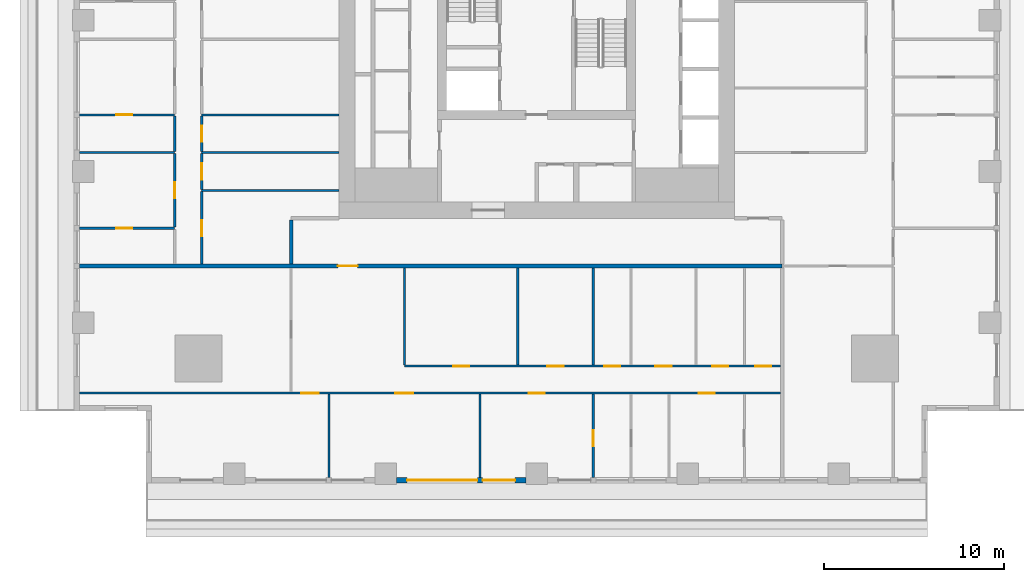
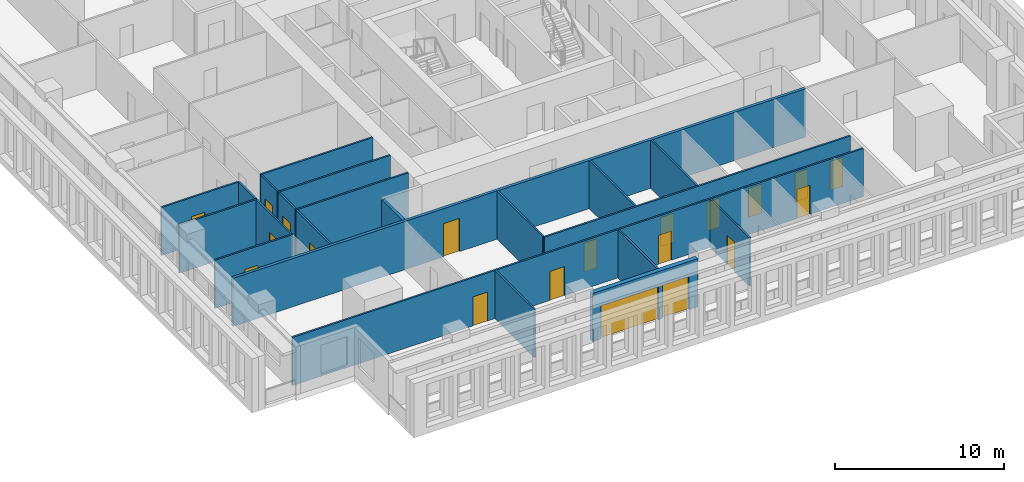
# One storey, part 2 of 16: 22 walls, 20 doors, 20 openings.
"""IFC4 building model written with IfcOpenShell, lengths in metres."""

from ifc_helpers import new_model, si_unit, direction, frame, frame_2d, origin, place, context, subcontext, project, spatial, rectangle, extrude, material, layer, layer_set, type_object, element, fill, save


model = new_model("IFC4")

# Units and contexts
model_context = context("Model", 3, precision=1e-05, world=origin(), true_north=direction((0.0, 1.0)))
body_context = subcontext(model_context, "Body", "Model", "MODEL_VIEW")
ifc_project = project(units=[si_unit("LENGTHUNIT", "METRE"), si_unit("AREAUNIT", "SQUARE_METRE"), si_unit("VOLUMEUNIT", "CUBIC_METRE"), si_unit("PLANEANGLEUNIT", "RADIAN"), si_unit("MASSUNIT", "GRAM", prefix="KILO")], contexts=[model_context])

# Site, building, storey
site_placement = place(None, origin())
site = spatial("IfcSite", under=ifc_project, at=site_placement, CompositionType="ELEMENT")
building_placement = place(site_placement, origin())
building = spatial("IfcBuilding", under=site, at=building_placement, Name="Khepri Terraces", CompositionType="ELEMENT")
storey_placement = place(building_placement, frame((0.0, 0.0, 149.39990234375)))
storey = spatial("IfcBuildingStorey", under=building, at=storey_placement, Name="L35", CompositionType="ELEMENT", Elevation=149.39990234375)

# Wall, opening, door
ifc_material_1 = material(Name="Fire-rated gypsum plasterboard partition, mineral wool")
ifc_layer_1 = layer(ifc_material_1, 0.199951171875, Name="Fire-rated gypsum plasterboard partition, mineral wool")
ifc_layer_set_1 = layer_set([ifc_layer_1], Name="Fire-rated gypsum plasterboard partition, mineral wool")
wall_type_1 = type_object("IfcWallType", Name="WL-CORR-200", PredefinedType="PARTITIONING", material=ifc_layer_set_1)
wall_1_placement = place(storey_placement, frame((-25.419921875, -13.64990234375, 0.0), z_axis=(0.0, 0.0, 1.0), x_axis=(1.0, 0.0, 0.0)))
wall_1 = element("IfcWall", 1, at=wall_1_placement, inside=storey, type_object=wall_type_1, Name="Partition P-019 L35", PredefinedType="PARTITIONING", context=body_context, shape_type="SweptSolid", body=[
    extrude(rectangle(XDim=39.06982421875, YDim=0.199951171875, at=frame_2d((19.534912109375, 0.0))), origin(), (0.0, 0.0, 1.0), 3.47998046875),
])
opening_1_placement = place(wall_1_placement, frame((14.3701171875, 0.0, 0.0)))
opening_1 = element("IfcOpeningElement", 2, at=opening_1_placement, cuts=wall_1, Name="Opening D1", PredefinedType="OPENING", context=body_context, shape_type="SweptSolid", body=[
    extrude(rectangle(XDim=1.10009765625, YDim=2.39990234375, at=frame_2d((0.550048828125, 1.199951171875))), frame((0.0, 0.10986328125, 0.0), z_axis=(0.0, -1.0, 0.0), x_axis=(1.0, 0.0, 0.0)), (0.0, 0.0, 1.0), 0.219970703125),
])
ifc_material_2 = material(Name="Solid-core timber door leaf, flat entrance door", Category="wood")
door_type_1 = type_object("IfcDoorType", Name="DR-ENT-1100", OperationType="NOTDEFINED", PredefinedType="DOOR", material=ifc_material_2)
door_1_placement = place(opening_1_placement, frame((1.10009765625, 0.0, 0.0), z_axis=(0.0, 0.0, 1.0), x_axis=(-1.0, 0.0, 0.0)))
door_1 = element("IfcDoor", 3, at=door_1_placement, inside=storey, type_object=door_type_1, Name="Flat A1 entrance door", OperationType="SINGLE_SWING_RIGHT", OverallHeight=2.39990234375, OverallWidth=1.10009765625, PredefinedType="DOOR", context=body_context, shape_type="SweptSolid", body=[
    extrude(rectangle(XDim=1.10009765625, YDim=2.39990234375, at=frame_2d((0.550048828125, 1.199951171875))), frame((0.0, 0.02490234375, 0.0), z_axis=(0.0, -1.0, 0.0), x_axis=(1.0, 0.0, 0.0)), (0.0, 0.0, 1.0), 0.050048828125),
])
fill(opening_1, door_1)

# Wall
wall_2_placement = place(storey_placement, frame((-13.64990234375, -13.550048828125, 0.0), z_axis=(0.0, 0.0, 1.0), x_axis=(0.0, 1.0, 0.0)))
element("IfcWall", 4, at=wall_2_placement, inside=storey, type_object=wall_type_1, Name="Partition P-024 L35", PredefinedType="PARTITIONING", context=body_context, shape_type="SweptSolid", body=[
    extrude(rectangle(XDim=2.449951171875, YDim=0.199951171875, at=frame_2d((1.22509765625, 0.0))), origin(), (0.0, 0.0, 1.0), 3.47998046875),
])

# Wall, openings, doors
ifc_material_3 = material(Name="Precast concrete C50/60 warm stone", Category="masonry")
ifc_layer_2 = layer(ifc_material_3, 0.300048828125, Name="Precast concrete C50/60 warm stone", Category="masonry")
ifc_layer_set_2 = layer_set([ifc_layer_2], Name="Precast concrete C50/60 warm stone")
wall_type_2 = type_object("IfcWallType", Name="WL-EXT-PRECAST-300", PredefinedType="STANDARD", material=ifc_layer_set_2)
wall_3_placement = place(storey_placement, frame((-7.800048828125, -25.570068359375, 0.0), z_axis=(0.0, 0.0, 1.0), x_axis=(1.0, 0.0, 0.0)))
wall_3 = element("IfcWall", 5, at=wall_3_placement, inside=storey, type_object=wall_type_2, Name="External wall L35 S", PredefinedType="STANDARD", context=body_context, shape_type="SweptSolid", body=[
    extrude(rectangle(XDim=7.199951171875, YDim=0.300048828125, at=frame_2d((3.60009765625, 0.0))), origin(), (0.0, 0.0, 1.0), 3.47998046875),
])
opening_2_placement = place(wall_3_placement, frame((0.60009765625, 0.0, 0.0)))
opening_2 = element("IfcOpeningElement", 6, at=opening_2_placement, cuts=wall_3, Name="Opening ED-L35-18", PredefinedType="OPENING", context=body_context, shape_type="SweptSolid", body=[
    extrude(rectangle(XDim=3.89990234375, YDim=2.39990234375, at=frame_2d((1.949951171875, 1.199951171875))), frame((0.0, 0.16015625, 0.0), z_axis=(0.0, -1.0, 0.0), x_axis=(1.0, 0.0, 0.0)), (0.0, 0.0, 1.0), 0.320068359375),
])
opening_3_placement = place(wall_3_placement, frame((4.800048828125, 0.0, 0.0)))
opening_3 = element("IfcOpeningElement", 7, at=opening_3_placement, cuts=wall_3, Name="Opening ED-L35-19", PredefinedType="OPENING", context=body_context, shape_type="SweptSolid", body=[
    extrude(rectangle(XDim=1.800048828125, YDim=2.39990234375, at=frame_2d((0.89990234375, 1.199951171875))), frame((0.0, 0.16015625, 0.0), z_axis=(0.0, -1.0, 0.0), x_axis=(1.0, 0.0, 0.0)), (0.0, 0.0, 1.0), 0.320068359375),
])
ifc_material_4 = material(Name="Anodised aluminium bronze glazed door", Category="aluminium")
door_type_2 = type_object("IfcDoorType", Name="DR-BAL-SLIDE-1800x2400", OperationType="NOTDEFINED", PredefinedType="DOOR", material=ifc_material_4)
door_2_placement = place(opening_3_placement, origin())
door_2 = element("IfcDoor", 8, at=door_2_placement, inside=storey, type_object=door_type_2, Name="Balcony door L35 S", OperationType="SLIDING_TO_RIGHT", OverallHeight=2.39990234375, OverallWidth=1.800048828125, PredefinedType="DOOR", context=body_context, shape_type="SweptSolid", body=[
    extrude(rectangle(XDim=1.800048828125, YDim=2.39990234375, at=frame_2d((0.89990234375, 1.199951171875))), frame((0.0, 0.02490234375, 0.0), z_axis=(0.0, -1.0, 0.0), x_axis=(1.0, 0.0, 0.0)), (0.0, 0.0, 1.0), 0.050048828125),
])
fill(opening_3, door_2)
door_type_3 = type_object("IfcDoorType", Name="DR-BAL-SLIDE-3900x2400", OperationType="NOTDEFINED", PredefinedType="DOOR", material=ifc_material_4)
door_3_placement = place(opening_2_placement, origin())
door_3 = element("IfcDoor", 9, at=door_3_placement, inside=storey, type_object=door_type_3, Name="Balcony door L35 S", OperationType="SLIDING_TO_LEFT", OverallHeight=2.39990234375, OverallWidth=3.89990234375, PredefinedType="DOOR", context=body_context, shape_type="SweptSolid", body=[
    extrude(rectangle(XDim=3.89990234375, YDim=2.39990234375, at=frame_2d((1.949951171875, 1.199951171875))), frame((0.0, 0.02490234375, 0.0), z_axis=(0.0, -1.0, 0.0), x_axis=(1.0, 0.0, 0.0)), (0.0, 0.0, 1.0), 0.050048828125),
])
fill(opening_2, door_3)

# Walls
ifc_material_5 = material(Name="Gypsum plasterboard partition")
ifc_layer_3 = layer(ifc_material_5, 0.1201171875, Name="Gypsum plasterboard partition")
ifc_layer_set_3 = layer_set([ifc_layer_3], Name="Gypsum plasterboard partition")
wall_type_3 = type_object("IfcWallType", Name="WL-PART-120", PredefinedType="PARTITIONING", material=ifc_layer_set_3)
for number, where, z_axis, x_axis, name in (
    (10, (-11.550048828125, -25.419921875, 0.0), (0.0, 0.0, 1.0), (0.0, 1.0, 0.0), "Partition P-001 L35"),
    (11, (-3.14990234375, -25.419921875, 0.0), (0.0, 0.0, 1.0), (0.0, 1.0, 0.0), "Partition P-002 L35"),
):
    element("IfcWall", number, at=place(storey_placement, frame(where, z_axis=z_axis, x_axis=x_axis)), inside=storey, type_object=wall_type_3, Name=name, PredefinedType="PARTITIONING", context=body_context, shape_type="SweptSolid", body=[
        extrude(rectangle(XDim=4.639892578125, YDim=0.1201171875, at=frame_2d((2.31982421875, 0.0))), origin(), (0.0, 0.0, 1.0), 3.47998046875),
    ])

# Wall, opening, door
wall_4_placement = place(storey_placement, frame((3.14990234375, -25.419921875, 0.0), z_axis=(0.0, 0.0, 1.0), x_axis=(0.0, 1.0, 0.0)))
wall_4 = element("IfcWall", 12, at=wall_4_placement, inside=storey, type_object=wall_type_3, Name="Partition P-003 L35", PredefinedType="PARTITIONING", context=body_context, shape_type="SweptSolid", body=[
    extrude(rectangle(XDim=4.639892578125, YDim=0.1201171875, at=frame_2d((2.31982421875, 0.0))), origin(), (0.0, 0.0, 1.0), 3.47998046875),
])
opening_4_placement = place(wall_4_placement, frame((1.75, 0.0, 0.0)))
opening_4 = element("IfcOpeningElement", 13, at=opening_4_placement, cuts=wall_4, Name="Opening D3", PredefinedType="OPENING", context=body_context, shape_type="SweptSolid", body=[
    extrude(rectangle(XDim=0.89990234375, YDim=2.10009765625, at=frame_2d((0.449951171875, 1.050048828125))), frame((0.0, 0.070068359375, 0.0), z_axis=(0.0, -1.0, 0.0), x_axis=(1.0, 0.0, 0.0)), (0.0, 0.0, 1.0), 0.14013671875),
])
ifc_material_6 = material(Name="Timber door leaf", Category="wood")
door_type_4 = type_object("IfcDoorType", Name="DR-INT-900", OperationType="NOTDEFINED", PredefinedType="DOOR", material=ifc_material_6)
door_4_placement = place(opening_4_placement, frame((0.89990234375, 0.0, 0.0), z_axis=(0.0, 0.0, 1.0), x_axis=(-1.0, 0.0, 0.0)))
door_4 = element("IfcDoor", 14, at=door_4_placement, inside=storey, type_object=door_type_4, Name="Door Dressing Room", OperationType="SINGLE_SWING_RIGHT", OverallHeight=2.10009765625, OverallWidth=0.89990234375, PredefinedType="DOOR", context=body_context, shape_type="SweptSolid", body=[
    extrude(rectangle(XDim=0.89990234375, YDim=2.10009765625, at=frame_2d((0.449951171875, 1.050048828125))), frame((0.0, 0.02490234375, 0.0), z_axis=(0.0, -1.0, 0.0), x_axis=(1.0, 0.0, 0.0)), (0.0, 0.0, 1.0), 0.050048828125),
])
fill(opening_4, door_4)

# Wall, openings, doors
wall_5_placement = place(storey_placement, frame((-25.419921875, -20.719970703125, 0.0), z_axis=(0.0, 0.0, 1.0), x_axis=(1.0, 0.0, 0.0)))
wall_5 = element("IfcWall", 15, at=wall_5_placement, inside=storey, type_object=wall_type_3, Name="Partition P-009 L35", PredefinedType="PARTITIONING", context=body_context, shape_type="SweptSolid", body=[
    extrude(rectangle(XDim=38.969970703125, YDim=0.1201171875, at=frame_2d((19.48486328125, 0.0))), origin(), (0.0, 0.0, 1.0), 3.47998046875),
])
opening_5_placement = place(wall_5_placement, frame((12.320068359375, 0.0, 0.0)))
opening_5 = element("IfcOpeningElement", 16, at=opening_5_placement, cuts=wall_5, Name="Opening D2", PredefinedType="OPENING", context=body_context, shape_type="SweptSolid", body=[
    extrude(rectangle(XDim=1.0, YDim=2.10009765625, at=frame_2d((0.5, 1.050048828125))), frame((0.0, 0.070068359375, 0.0), z_axis=(0.0, -1.0, 0.0), x_axis=(1.0, 0.0, 0.0)), (0.0, 0.0, 1.0), 0.14013671875),
])
opening_6_placement = place(wall_5_placement, frame((17.570068359375, 0.0, 0.0)))
opening_6 = element("IfcOpeningElement", 17, at=opening_6_placement, cuts=wall_5, Name="Opening D2", PredefinedType="OPENING", context=body_context, shape_type="SweptSolid", body=[
    extrude(rectangle(XDim=1.0, YDim=2.10009765625, at=frame_2d((0.5, 1.050048828125))), frame((0.0, 0.070068359375, 0.0), z_axis=(0.0, -1.0, 0.0), x_axis=(1.0, 0.0, 0.0)), (0.0, 0.0, 1.0), 0.14013671875),
])
opening_7_placement = place(wall_5_placement, frame((24.969970703125, 0.0, 0.0)))
opening_7 = element("IfcOpeningElement", 18, at=opening_7_placement, cuts=wall_5, Name="Opening D3", PredefinedType="OPENING", context=body_context, shape_type="SweptSolid", body=[
    extrude(rectangle(XDim=0.89990234375, YDim=2.10009765625, at=frame_2d((0.449951171875, 1.050048828125))), frame((0.0, 0.070068359375, 0.0), z_axis=(0.0, -1.0, 0.0), x_axis=(1.0, 0.0, 0.0)), (0.0, 0.0, 1.0), 0.14013671875),
])
opening_8_placement = place(wall_5_placement, frame((34.419921875, 0.0, 0.0)))
opening_8 = element("IfcOpeningElement", 19, at=opening_8_placement, cuts=wall_5, Name="Opening D3", PredefinedType="OPENING", context=body_context, shape_type="SweptSolid", body=[
    extrude(rectangle(XDim=0.89990234375, YDim=2.10009765625, at=frame_2d((0.449951171875, 1.050048828125))), frame((0.0, 0.070068359375, 0.0), z_axis=(0.0, -1.0, 0.0), x_axis=(1.0, 0.0, 0.0)), (0.0, 0.0, 1.0), 0.14013671875),
])
ifc_material_7 = material(Name="Timber door leaf, living room door", Category="wood")
door_type_5 = type_object("IfcDoorType", Name="DR-INT-1000", OperationType="NOTDEFINED", PredefinedType="DOOR", material=ifc_material_7)
door_5_placement = place(opening_5_placement, frame((1.0, 0.0, 0.0), z_axis=(0.0, 0.0, 1.0), x_axis=(-1.0, 0.0, 0.0)))
door_5 = element("IfcDoor", 20, at=door_5_placement, inside=storey, type_object=door_type_5, Name="Door Sun Lounge", OperationType="SINGLE_SWING_RIGHT", OverallHeight=2.10009765625, OverallWidth=1.0, PredefinedType="DOOR", context=body_context, shape_type="SweptSolid", body=[
    extrude(rectangle(XDim=1.0, YDim=2.10009765625, at=frame_2d((0.5, 1.050048828125))), frame((0.0, 0.02490234375, 0.0), z_axis=(0.0, -1.0, 0.0), x_axis=(1.0, 0.0, 0.0)), (0.0, 0.0, 1.0), 0.050048828125),
])
fill(opening_5, door_5)
door_6_placement = place(opening_6_placement, frame((1.0, 0.0, 0.0), z_axis=(0.0, 0.0, 1.0), x_axis=(-1.0, 0.0, 0.0)))
door_6 = element("IfcDoor", 21, at=door_6_placement, inside=storey, type_object=door_type_5, Name="Door Living Room", OperationType="SINGLE_SWING_RIGHT", OverallHeight=2.10009765625, OverallWidth=1.0, PredefinedType="DOOR", context=body_context, shape_type="SweptSolid", body=[
    extrude(rectangle(XDim=1.0, YDim=2.10009765625, at=frame_2d((0.5, 1.050048828125))), frame((0.0, 0.02490234375, 0.0), z_axis=(0.0, -1.0, 0.0), x_axis=(1.0, 0.0, 0.0)), (0.0, 0.0, 1.0), 0.050048828125),
])
fill(opening_6, door_6)
door_7_placement = place(opening_7_placement, frame((0.89990234375, 0.0, 0.0), z_axis=(0.0, 0.0, 1.0), x_axis=(-1.0, 0.0, 0.0)))
door_7 = element("IfcDoor", 22, at=door_7_placement, inside=storey, type_object=door_type_4, Name="Door Master Bedroom", OperationType="SINGLE_SWING_LEFT", OverallHeight=2.10009765625, OverallWidth=0.89990234375, PredefinedType="DOOR", context=body_context, shape_type="SweptSolid", body=[
    extrude(rectangle(XDim=0.89990234375, YDim=2.10009765625, at=frame_2d((0.449951171875, 1.050048828125))), frame((0.0, 0.02490234375, 0.0), z_axis=(0.0, -1.0, 0.0), x_axis=(1.0, 0.0, 0.0)), (0.0, 0.0, 1.0), 0.050048828125),
])
fill(opening_7, door_7)
door_8_placement = place(opening_8_placement, frame((0.89990234375, 0.0, 0.0), z_axis=(0.0, 0.0, 1.0), x_axis=(-1.0, 0.0, 0.0)))
door_8 = element("IfcDoor", 23, at=door_8_placement, inside=storey, type_object=door_type_4, Name="Door Bedroom", OperationType="SINGLE_SWING_LEFT", OverallHeight=2.10009765625, OverallWidth=0.89990234375, PredefinedType="DOOR", context=body_context, shape_type="SweptSolid", body=[
    extrude(rectangle(XDim=0.89990234375, YDim=2.10009765625, at=frame_2d((0.449951171875, 1.050048828125))), frame((0.0, 0.02490234375, 0.0), z_axis=(0.0, -1.0, 0.0), x_axis=(1.0, 0.0, 0.0)), (0.0, 0.0, 1.0), 0.050048828125),
])
fill(opening_8, door_8)

wall_6_placement = place(storey_placement, frame((-7.35009765625, -19.219970703125, 0.0), z_axis=(0.0, 0.0, 1.0), x_axis=(1.0, 0.0, 0.0)))
wall_6 = element("IfcWall", 24, at=wall_6_placement, inside=storey, type_object=wall_type_3, Name="Partition P-011 L35", PredefinedType="PARTITIONING", context=body_context, shape_type="SweptSolid", body=[
    extrude(rectangle(XDim=20.900146484375, YDim=0.1201171875, at=frame_2d((10.4501953125, 0.0))), origin(), (0.0, 0.0, 1.0), 3.47998046875),
])
opening_9_placement = place(wall_6_placement, frame((2.699951171875, 0.0, 0.0)))
opening_9 = element("IfcOpeningElement", 25, at=opening_9_placement, cuts=wall_6, Name="Opening D3", PredefinedType="OPENING", context=body_context, shape_type="SweptSolid", body=[
    extrude(rectangle(XDim=0.89990234375, YDim=2.10009765625, at=frame_2d((0.449951171875, 1.050048828125))), frame((0.0, 0.070068359375, 0.0), z_axis=(0.0, -1.0, 0.0), x_axis=(1.0, 0.0, 0.0)), (0.0, 0.0, 1.0), 0.14013671875),
])
opening_10_placement = place(wall_6_placement, frame((7.949951171875, 0.0, 0.0)))
opening_10 = element("IfcOpeningElement", 26, at=opening_10_placement, cuts=wall_6, Name="Opening D3", PredefinedType="OPENING", context=body_context, shape_type="SweptSolid", body=[
    extrude(rectangle(XDim=0.89990234375, YDim=2.10009765625, at=frame_2d((0.449951171875, 1.050048828125))), frame((0.0, 0.070068359375, 0.0), z_axis=(0.0, -1.0, 0.0), x_axis=(1.0, 0.0, 0.0)), (0.0, 0.0, 1.0), 0.14013671875),
])
opening_11_placement = place(wall_6_placement, frame((11.10009765625, 0.0, 0.0)))
opening_11 = element("IfcOpeningElement", 27, at=opening_11_placement, cuts=wall_6, Name="Opening D4", PredefinedType="OPENING", context=body_context, shape_type="SweptSolid", body=[
    extrude(rectangle(XDim=0.89990234375, YDim=2.10009765625, at=frame_2d((0.449951171875, 1.050048828125))), frame((0.0, 0.070068359375, 0.0), z_axis=(0.0, -1.0, 0.0), x_axis=(1.0, 0.0, 0.0)), (0.0, 0.0, 1.0), 0.14013671875),
])
opening_12_placement = place(wall_6_placement, frame((13.949951171875, 0.0, 0.0)))
opening_12 = element("IfcOpeningElement", 28, at=opening_12_placement, cuts=wall_6, Name="Opening D3", PredefinedType="OPENING", context=body_context, shape_type="SweptSolid", body=[
    extrude(rectangle(XDim=0.89990234375, YDim=2.10009765625, at=frame_2d((0.449951171875, 1.050048828125))), frame((0.0, 0.070068359375, 0.0), z_axis=(0.0, -1.0, 0.0), x_axis=(1.0, 0.0, 0.0)), (0.0, 0.0, 1.0), 0.14013671875),
])
opening_13_placement = place(wall_6_placement, frame((17.10009765625, 0.0, 0.0)))
opening_13 = element("IfcOpeningElement", 29, at=opening_13_placement, cuts=wall_6, Name="Opening D4", PredefinedType="OPENING", context=body_context, shape_type="SweptSolid", body=[
    extrude(rectangle(XDim=0.89990234375, YDim=2.10009765625, at=frame_2d((0.449951171875, 1.050048828125))), frame((0.0, 0.070068359375, 0.0), z_axis=(0.0, -1.0, 0.0), x_axis=(1.0, 0.0, 0.0)), (0.0, 0.0, 1.0), 0.14013671875),
])
opening_14_placement = place(wall_6_placement, frame((19.5, 0.0, 0.0)))
opening_14 = element("IfcOpeningElement", 30, at=opening_14_placement, cuts=wall_6, Name="Opening D3", PredefinedType="OPENING", context=body_context, shape_type="SweptSolid", body=[
    extrude(rectangle(XDim=0.89990234375, YDim=2.10009765625, at=frame_2d((0.449951171875, 1.050048828125))), frame((0.0, 0.070068359375, 0.0), z_axis=(0.0, -1.0, 0.0), x_axis=(1.0, 0.0, 0.0)), (0.0, 0.0, 1.0), 0.14013671875),
])
door_9_placement = place(opening_9_placement, origin())
door_9 = element("IfcDoor", 31, at=door_9_placement, inside=storey, type_object=door_type_4, Name="Door Kitchen", OperationType="SINGLE_SWING_LEFT", OverallHeight=2.10009765625, OverallWidth=0.89990234375, PredefinedType="DOOR", context=body_context, shape_type="SweptSolid", body=[
    extrude(rectangle(XDim=0.89990234375, YDim=2.10009765625, at=frame_2d((0.449951171875, 1.050048828125))), frame((0.0, 0.02490234375, 0.0), z_axis=(0.0, -1.0, 0.0), x_axis=(1.0, 0.0, 0.0)), (0.0, 0.0, 1.0), 0.050048828125),
])
fill(opening_9, door_9)
door_10_placement = place(opening_10_placement, origin())
door_10 = element("IfcDoor", 32, at=door_10_placement, inside=storey, type_object=door_type_4, Name="Door Utility Room", OperationType="SINGLE_SWING_LEFT", OverallHeight=2.10009765625, OverallWidth=0.89990234375, PredefinedType="DOOR", context=body_context, shape_type="SweptSolid", body=[
    extrude(rectangle(XDim=0.89990234375, YDim=2.10009765625, at=frame_2d((0.449951171875, 1.050048828125))), frame((0.0, 0.02490234375, 0.0), z_axis=(0.0, -1.0, 0.0), x_axis=(1.0, 0.0, 0.0)), (0.0, 0.0, 1.0), 0.050048828125),
])
fill(opening_10, door_10)
door_11_placement = place(opening_12_placement, origin())
door_11 = element("IfcDoor", 33, at=door_11_placement, inside=storey, type_object=door_type_4, Name="Door Staff Bedroom", OperationType="SINGLE_SWING_RIGHT", OverallHeight=2.10009765625, OverallWidth=0.89990234375, PredefinedType="DOOR", context=body_context, shape_type="SweptSolid", body=[
    extrude(rectangle(XDim=0.89990234375, YDim=2.10009765625, at=frame_2d((0.449951171875, 1.050048828125))), frame((0.0, 0.02490234375, 0.0), z_axis=(0.0, -1.0, 0.0), x_axis=(1.0, 0.0, 0.0)), (0.0, 0.0, 1.0), 0.050048828125),
])
fill(opening_12, door_11)
door_12_placement = place(opening_14_placement, origin())
door_12 = element("IfcDoor", 34, at=door_12_placement, inside=storey, type_object=door_type_4, Name="Door Utility Room", OperationType="SINGLE_SWING_RIGHT", OverallHeight=2.10009765625, OverallWidth=0.89990234375, PredefinedType="DOOR", context=body_context, shape_type="SweptSolid", body=[
    extrude(rectangle(XDim=0.89990234375, YDim=2.10009765625, at=frame_2d((0.449951171875, 1.050048828125))), frame((0.0, 0.02490234375, 0.0), z_axis=(0.0, -1.0, 0.0), x_axis=(1.0, 0.0, 0.0)), (0.0, 0.0, 1.0), 0.050048828125),
])
fill(opening_14, door_12)
ifc_material_8 = material(Name="Timber door leaf, moisture resistant", Category="wood")
door_type_6 = type_object("IfcDoorType", Name="DR-WET-900", OperationType="NOTDEFINED", PredefinedType="DOOR", material=ifc_material_8)
door_13_placement = place(opening_11_placement, origin())
door_13 = element("IfcDoor", 35, at=door_13_placement, inside=storey, type_object=door_type_6, Name="Door Powder Room", OperationType="SINGLE_SWING_RIGHT", OverallHeight=2.10009765625, OverallWidth=0.89990234375, PredefinedType="DOOR", context=body_context, shape_type="SweptSolid", body=[
    extrude(rectangle(XDim=0.89990234375, YDim=2.10009765625, at=frame_2d((0.449951171875, 1.050048828125))), frame((0.0, 0.02490234375, 0.0), z_axis=(0.0, -1.0, 0.0), x_axis=(1.0, 0.0, 0.0)), (0.0, 0.0, 1.0), 0.050048828125),
])
fill(opening_11, door_13)
door_14_placement = place(opening_13_placement, origin())
door_14 = element("IfcDoor", 36, at=door_14_placement, inside=storey, type_object=door_type_6, Name="Door Guest Bathroom", OperationType="SINGLE_SWING_RIGHT", OverallHeight=2.10009765625, OverallWidth=0.89990234375, PredefinedType="DOOR", context=body_context, shape_type="SweptSolid", body=[
    extrude(rectangle(XDim=0.89990234375, YDim=2.10009765625, at=frame_2d((0.449951171875, 1.050048828125))), frame((0.0, 0.02490234375, 0.0), z_axis=(0.0, -1.0, 0.0), x_axis=(1.0, 0.0, 0.0)), (0.0, 0.0, 1.0), 0.050048828125),
])
fill(opening_13, door_14)

# Walls
for number, where, z_axis, x_axis, name in (
    (37, (-7.35009765625, -19.159912109375, 0.0), (0.0, 0.0, 1.0), (0.0, 1.0, 0.0), "Partition P-012 L35"),
    (38, (-1.050048828125, -19.159912109375, 0.0), (0.0, 0.0, 1.0), (0.0, 1.0, 0.0), "Partition P-013 L35"),
    (39, (3.14990234375, -19.159912109375, 0.0), (0.0, 0.0, 1.0), (0.0, 1.0, 0.0), "Partition P-014 L35"),
):
    element("IfcWall", number, at=place(storey_placement, frame(where, z_axis=z_axis, x_axis=x_axis)), inside=storey, type_object=wall_type_3, Name=name, PredefinedType="PARTITIONING", context=body_context, shape_type="SweptSolid", body=[
        extrude(rectangle(XDim=5.409912109375, YDim=0.1201171875, at=frame_2d((2.705078125, 0.0))), origin(), (0.0, 0.0, 1.0), 3.47998046875),
    ])

# Wall, opening, door
wall_7_placement = place(storey_placement, frame((-18.6201171875, -13.550048828125, 0.0), z_axis=(0.0, 0.0, 1.0), x_axis=(0.0, 1.0, 0.0)))
wall_7 = element("IfcWall", 40, at=wall_7_placement, inside=storey, type_object=wall_type_3, Name="Partition P-023 L35", PredefinedType="PARTITIONING", context=body_context, shape_type="SweptSolid", body=[
    extrude(rectangle(XDim=4.0400390625, YDim=0.1201171875, at=frame_2d((2.02001953125, 0.0))), origin(), (0.0, 0.0, 1.0), 3.47998046875),
])
opening_15_placement = place(wall_7_placement, frame((1.550048828125, 0.0, 0.0)))
opening_15 = element("IfcOpeningElement", 41, at=opening_15_placement, cuts=wall_7, Name="Opening D3", PredefinedType="OPENING", context=body_context, shape_type="SweptSolid", body=[
    extrude(rectangle(XDim=0.89990234375, YDim=2.10009765625, at=frame_2d((0.449951171875, 1.050048828125))), frame((0.0, 0.070068359375, 0.0), z_axis=(0.0, -1.0, 0.0), x_axis=(1.0, 0.0, 0.0)), (0.0, 0.0, 1.0), 0.14013671875),
])
door_15_placement = place(opening_15_placement, frame((0.89990234375, 0.0, 0.0), z_axis=(0.0, 0.0, 1.0), x_axis=(-1.0, 0.0, 0.0)))
door_15 = element("IfcDoor", 42, at=door_15_placement, inside=storey, type_object=door_type_4, Name="Door Library", OperationType="SINGLE_SWING_RIGHT", OverallHeight=2.10009765625, OverallWidth=0.89990234375, PredefinedType="DOOR", context=body_context, shape_type="SweptSolid", body=[
    extrude(rectangle(XDim=0.89990234375, YDim=2.10009765625, at=frame_2d((0.449951171875, 1.050048828125))), frame((0.0, 0.02490234375, 0.0), z_axis=(0.0, -1.0, 0.0), x_axis=(1.0, 0.0, 0.0)), (0.0, 0.0, 1.0), 0.050048828125),
])
fill(opening_15, door_15)

wall_8_placement = place(storey_placement, frame((-25.419921875, -11.550048828125, 0.0), z_axis=(0.0, 0.0, 1.0), x_axis=(1.0, 0.0, 0.0)))
wall_8 = element("IfcWall", 43, at=wall_8_placement, inside=storey, type_object=wall_type_3, Name="Partition P-026 L35", PredefinedType="PARTITIONING", context=body_context, shape_type="SweptSolid", body=[
    extrude(rectangle(XDim=5.2998046875, YDim=0.1201171875, at=frame_2d((2.64990234375, 0.0))), origin(), (0.0, 0.0, 1.0), 3.47998046875),
])
opening_16_placement = place(wall_8_placement, frame((2.050048828125, 0.0, 0.0)))
opening_16 = element("IfcOpeningElement", 44, at=opening_16_placement, cuts=wall_8, Name="Opening D4", PredefinedType="OPENING", context=body_context, shape_type="SweptSolid", body=[
    extrude(rectangle(XDim=0.89990234375, YDim=2.10009765625, at=frame_2d((0.449951171875, 1.050048828125))), frame((0.0, 0.070068359375, 0.0), z_axis=(0.0, -1.0, 0.0), x_axis=(1.0, 0.0, 0.0)), (0.0, 0.0, 1.0), 0.14013671875),
])
door_16_placement = place(opening_16_placement, frame((0.89990234375, 0.0, 0.0), z_axis=(0.0, 0.0, 1.0), x_axis=(-1.0, 0.0, 0.0)))
door_16 = element("IfcDoor", 45, at=door_16_placement, inside=storey, type_object=door_type_6, Name="Door Bathroom", OperationType="SINGLE_SWING_RIGHT", OverallHeight=2.10009765625, OverallWidth=0.89990234375, PredefinedType="DOOR", context=body_context, shape_type="SweptSolid", body=[
    extrude(rectangle(XDim=0.89990234375, YDim=2.10009765625, at=frame_2d((0.449951171875, 1.050048828125))), frame((0.0, 0.02490234375, 0.0), z_axis=(0.0, -1.0, 0.0), x_axis=(1.0, 0.0, 0.0)), (0.0, 0.0, 1.0), 0.050048828125),
])
fill(opening_16, door_16)

wall_9_placement = place(storey_placement, frame((-20.1201171875, -11.489990234375, 0.0), z_axis=(0.0, 0.0, 1.0), x_axis=(0.0, 1.0, 0.0)))
wall_9 = element("IfcWall", 46, at=wall_9_placement, inside=storey, type_object=wall_type_3, Name="Partition P-028 L35", PredefinedType="PARTITIONING", context=body_context, shape_type="SweptSolid", body=[
    extrude(rectangle(XDim=4.080078125, YDim=0.1201171875, at=frame_2d((2.0400390625, 0.0))), origin(), (0.0, 0.0, 1.0), 3.47998046875),
])
opening_17_placement = place(wall_9_placement, frame((1.590087890625, 0.0, 0.0)))
opening_17 = element("IfcOpeningElement", 47, at=opening_17_placement, cuts=wall_9, Name="Opening D3", PredefinedType="OPENING", context=body_context, shape_type="SweptSolid", body=[
    extrude(rectangle(XDim=0.89990234375, YDim=2.10009765625, at=frame_2d((0.449951171875, 1.050048828125))), frame((0.0, 0.070068359375, 0.0), z_axis=(0.0, -1.0, 0.0), x_axis=(1.0, 0.0, 0.0)), (0.0, 0.0, 1.0), 0.14013671875),
])
door_17_placement = place(opening_17_placement, origin())
door_17 = element("IfcDoor", 48, at=door_17_placement, inside=storey, type_object=door_type_4, Name="Door Bedroom", OperationType="SINGLE_SWING_RIGHT", OverallHeight=2.10009765625, OverallWidth=0.89990234375, PredefinedType="DOOR", context=body_context, shape_type="SweptSolid", body=[
    extrude(rectangle(XDim=0.89990234375, YDim=2.10009765625, at=frame_2d((0.449951171875, 1.050048828125))), frame((0.0, 0.02490234375, 0.0), z_axis=(0.0, -1.0, 0.0), x_axis=(1.0, 0.0, 0.0)), (0.0, 0.0, 1.0), 0.050048828125),
])
fill(opening_17, door_17)

# Wall
wall_10_placement = place(storey_placement, frame((-18.6201171875, -9.449951171875, 0.0), z_axis=(0.0, 0.0, 1.0), x_axis=(1.0, 0.0, 0.0)))
element("IfcWall", 49, at=wall_10_placement, inside=storey, type_object=wall_type_3, Name="Partition P-032 L35", PredefinedType="PARTITIONING", context=body_context, shape_type="SweptSolid", body=[
    extrude(rectangle(XDim=7.6201171875, YDim=0.1201171875, at=frame_2d((3.81005859375, 0.0))), origin(), (0.0, 0.0, 1.0), 3.47998046875),
])

# Wall, opening, door
wall_11_placement = place(storey_placement, frame((-18.6201171875, -9.389892578125, 0.0), z_axis=(0.0, 0.0, 1.0), x_axis=(0.0, 1.0, 0.0)))
wall_11 = element("IfcWall", 50, at=wall_11_placement, inside=storey, type_object=wall_type_3, Name="Partition P-033 L35", PredefinedType="PARTITIONING", context=body_context, shape_type="SweptSolid", body=[
    extrude(rectangle(XDim=1.97998046875, YDim=0.1201171875, at=frame_2d((0.989990234375, 0.0))), origin(), (0.0, 0.0, 1.0), 3.47998046875),
])
opening_18_placement = place(wall_11_placement, frame((0.5400390625, 0.0, 0.0)))
opening_18 = element("IfcOpeningElement", 51, at=opening_18_placement, cuts=wall_11, Name="Opening D4", PredefinedType="OPENING", context=body_context, shape_type="SweptSolid", body=[
    extrude(rectangle(XDim=0.89990234375, YDim=2.10009765625, at=frame_2d((0.449951171875, 1.050048828125))), frame((0.0, 0.070068359375, 0.0), z_axis=(0.0, -1.0, 0.0), x_axis=(1.0, 0.0, 0.0)), (0.0, 0.0, 1.0), 0.14013671875),
])
door_18_placement = place(opening_18_placement, frame((0.89990234375, 0.0, 0.0), z_axis=(0.0, 0.0, 1.0), x_axis=(-1.0, 0.0, 0.0)))
door_18 = element("IfcDoor", 52, at=door_18_placement, inside=storey, type_object=door_type_6, Name="Door Guest Bathroom", OperationType="SINGLE_SWING_LEFT", OverallHeight=2.10009765625, OverallWidth=0.89990234375, PredefinedType="DOOR", context=body_context, shape_type="SweptSolid", body=[
    extrude(rectangle(XDim=0.89990234375, YDim=2.10009765625, at=frame_2d((0.449951171875, 1.050048828125))), frame((0.0, 0.02490234375, 0.0), z_axis=(0.0, -1.0, 0.0), x_axis=(1.0, 0.0, 0.0)), (0.0, 0.0, 1.0), 0.050048828125),
])
fill(opening_18, door_18)

# Walls
wall_12_placement = place(storey_placement, frame((-25.419921875, -7.35009765625, 0.0), z_axis=(0.0, 0.0, 1.0), x_axis=(1.0, 0.0, 0.0)))
element("IfcWall", 53, at=wall_12_placement, inside=storey, type_object=wall_type_3, Name="Partition P-034 L35", PredefinedType="PARTITIONING", context=body_context, shape_type="SweptSolid", body=[
    extrude(rectangle(XDim=5.2998046875, YDim=0.1201171875, at=frame_2d((2.64990234375, 0.0))), origin(), (0.0, 0.0, 1.0), 3.47998046875),
])
wall_13_placement = place(storey_placement, frame((-18.6201171875, -7.35009765625, 0.0), z_axis=(0.0, 0.0, 1.0), x_axis=(1.0, 0.0, 0.0)))
element("IfcWall", 54, at=wall_13_placement, inside=storey, type_object=wall_type_3, Name="Partition P-035 L35", PredefinedType="PARTITIONING", context=body_context, shape_type="SweptSolid", body=[
    extrude(rectangle(XDim=7.6201171875, YDim=0.1201171875, at=frame_2d((3.81005859375, 0.0))), origin(), (0.0, 0.0, 1.0), 3.47998046875),
])
wall_14_placement = place(storey_placement, frame((-20.1201171875, -7.2900390625, 0.0), z_axis=(0.0, 0.0, 1.0), x_axis=(0.0, 1.0, 0.0)))
element("IfcWall", 55, at=wall_14_placement, inside=storey, type_object=wall_type_3, Name="Partition P-037 L35", PredefinedType="PARTITIONING", context=body_context, shape_type="SweptSolid", body=[
    extrude(rectangle(XDim=1.97998046875, YDim=0.1201171875, at=frame_2d((0.989990234375, 0.0))), origin(), (0.0, 0.0, 1.0), 3.47998046875),
])

# Wall, opening, door
wall_15_placement = place(storey_placement, frame((-18.6201171875, -7.2900390625, 0.0), z_axis=(0.0, 0.0, 1.0), x_axis=(0.0, 1.0, 0.0)))
wall_15 = element("IfcWall", 56, at=wall_15_placement, inside=storey, type_object=wall_type_3, Name="Partition P-038 L35", PredefinedType="PARTITIONING", context=body_context, shape_type="SweptSolid", body=[
    extrude(rectangle(XDim=1.97998046875, YDim=0.1201171875, at=frame_2d((0.989990234375, 0.0))), origin(), (0.0, 0.0, 1.0), 3.47998046875),
])
opening_19_placement = place(wall_15_placement, frame((0.5400390625, 0.0, 0.0)))
opening_19 = element("IfcOpeningElement", 57, at=opening_19_placement, cuts=wall_15, Name="Opening D4", PredefinedType="OPENING", context=body_context, shape_type="SweptSolid", body=[
    extrude(rectangle(XDim=0.89990234375, YDim=2.10009765625, at=frame_2d((0.449951171875, 1.050048828125))), frame((0.0, 0.070068359375, 0.0), z_axis=(0.0, -1.0, 0.0), x_axis=(1.0, 0.0, 0.0)), (0.0, 0.0, 1.0), 0.14013671875),
])
door_19_placement = place(opening_19_placement, frame((0.89990234375, 0.0, 0.0), z_axis=(0.0, 0.0, 1.0), x_axis=(-1.0, 0.0, 0.0)))
door_19 = element("IfcDoor", 58, at=door_19_placement, inside=storey, type_object=door_type_6, Name="Door Powder Room", OperationType="SINGLE_SWING_LEFT", OverallHeight=2.10009765625, OverallWidth=0.89990234375, PredefinedType="DOOR", context=body_context, shape_type="SweptSolid", body=[
    extrude(rectangle(XDim=0.89990234375, YDim=2.10009765625, at=frame_2d((0.449951171875, 1.050048828125))), frame((0.0, 0.02490234375, 0.0), z_axis=(0.0, -1.0, 0.0), x_axis=(1.0, 0.0, 0.0)), (0.0, 0.0, 1.0), 0.050048828125),
])
fill(opening_19, door_19)

wall_16_placement = place(storey_placement, frame((-25.419921875, -5.25, 0.0), z_axis=(0.0, 0.0, 1.0), x_axis=(1.0, 0.0, 0.0)))
wall_16 = element("IfcWall", 59, at=wall_16_placement, inside=storey, type_object=wall_type_3, Name="Partition P-040 L35", PredefinedType="PARTITIONING", context=body_context, shape_type="SweptSolid", body=[
    extrude(rectangle(XDim=5.2998046875, YDim=0.1201171875, at=frame_2d((2.64990234375, 0.0))), origin(), (0.0, 0.0, 1.0), 3.47998046875),
])
opening_20_placement = place(wall_16_placement, frame((2.050048828125, 0.0, 0.0)))
opening_20 = element("IfcOpeningElement", 60, at=opening_20_placement, cuts=wall_16, Name="Opening D4", PredefinedType="OPENING", context=body_context, shape_type="SweptSolid", body=[
    extrude(rectangle(XDim=0.89990234375, YDim=2.10009765625, at=frame_2d((0.449951171875, 1.050048828125))), frame((0.0, 0.070068359375, 0.0), z_axis=(0.0, -1.0, 0.0), x_axis=(1.0, 0.0, 0.0)), (0.0, 0.0, 1.0), 0.14013671875),
])
door_20_placement = place(opening_20_placement, frame((0.89990234375, 0.0, 0.0), z_axis=(0.0, 0.0, 1.0), x_axis=(-1.0, 0.0, 0.0)))
door_20 = element("IfcDoor", 61, at=door_20_placement, inside=storey, type_object=door_type_6, Name="Door Bathroom", OperationType="SINGLE_SWING_RIGHT", OverallHeight=2.10009765625, OverallWidth=0.89990234375, PredefinedType="DOOR", context=body_context, shape_type="SweptSolid", body=[
    extrude(rectangle(XDim=0.89990234375, YDim=2.10009765625, at=frame_2d((0.449951171875, 1.050048828125))), frame((0.0, 0.02490234375, 0.0), z_axis=(0.0, -1.0, 0.0), x_axis=(1.0, 0.0, 0.0)), (0.0, 0.0, 1.0), 0.050048828125),
])
fill(opening_20, door_20)

# Wall
wall_17_placement = place(storey_placement, frame((-18.6201171875, -5.25, 0.0), z_axis=(0.0, 0.0, 1.0), x_axis=(1.0, 0.0, 0.0)))
element("IfcWall", 62, at=wall_17_placement, inside=storey, type_object=wall_type_3, Name="Partition P-041 L35", PredefinedType="PARTITIONING", context=body_context, shape_type="SweptSolid", body=[
    extrude(rectangle(XDim=7.6201171875, YDim=0.1201171875, at=frame_2d((3.81005859375, 0.0))), origin(), (0.0, 0.0, 1.0), 3.47998046875),
])

save(model, "model.ifc")
